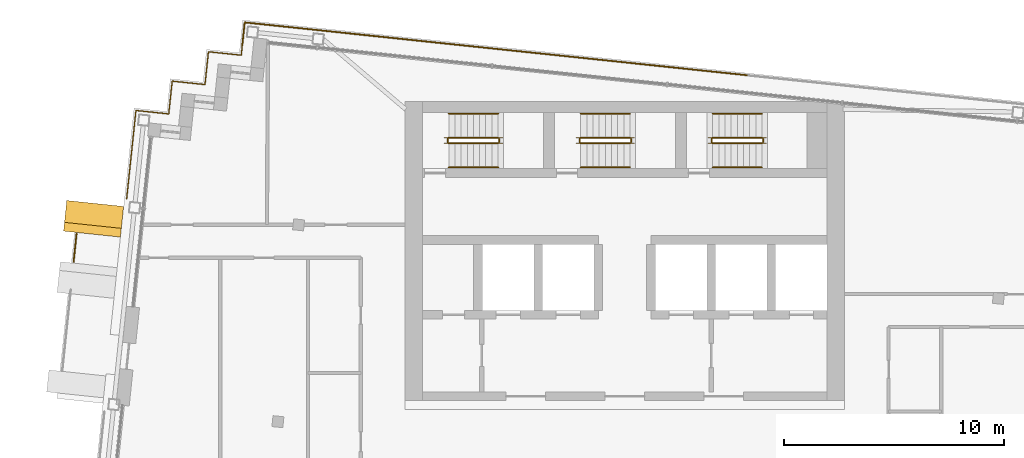
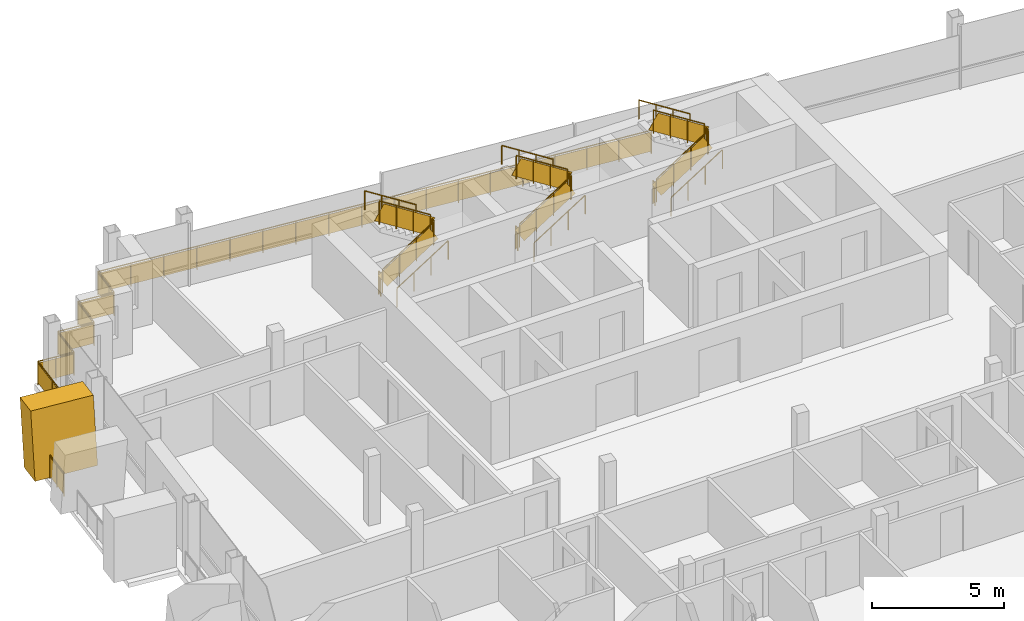
# One storey, part 15 of 16: 22 railings, 1 shading device.
"""IFC4 building model written with IfcOpenShell, lengths in metres."""

from ifc_helpers import new_model, si_unit, direction, frame, origin, origin_2d, place, context, subcontext, project, spatial, polyline, rectangle, circle, outline, extrude, material, layer, layer_set, type_object, element, save


model = new_model("IFC4")

# Units and contexts
model_context = context("Model", 3, precision=1e-05, world=origin(), true_north=direction((0.0, 1.0)))
body_context = subcontext(model_context, "Body", "Model", "MODEL_VIEW")
ifc_project = project(units=[si_unit("LENGTHUNIT", "METRE"), si_unit("AREAUNIT", "SQUARE_METRE"), si_unit("VOLUMEUNIT", "CUBIC_METRE"), si_unit("PLANEANGLEUNIT", "RADIAN"), si_unit("MASSUNIT", "GRAM", prefix="KILO")], contexts=[model_context])

# Site, building, storey
site_placement = place(None, origin())
site = spatial("IfcSite", under=ifc_project, at=site_placement, CompositionType="ELEMENT")
building_placement = place(site_placement, origin())
building = spatial("IfcBuilding", under=site, at=building_placement, Name="Vidyagriha Tower", CompositionType="ELEMENT")
storey_placement = place(building_placement, frame((0.0, 0.0, 275.5)))
storey = spatial("IfcBuildingStorey", under=building, at=storey_placement, Name="L72", CompositionType="ELEMENT", Elevation=275.5)

# Railing
ifc_material_1 = material(Name="Steel ASTM A500 Grade C black painted", Category="steel")
railing_type_1 = type_object("IfcRailingType", Name="Balcony guard 1100", PredefinedType="BALUSTRADE", material=ifc_material_1)
railing_1_placement = place(storey_placement, frame((-24.927978515625, 13.9931640625, 0.0)))
element("IfcRailing", 1, at=railing_1_placement, inside=storey, type_object=railing_type_1, Name="Balcony guard L72 R14.1-1", PredefinedType="BALUSTRADE", context=body_context, shape_type="SweptSolid", body=[
    extrude(circle(Radius=0.02490234375, at=origin_2d()), frame((0.0, 0.0, 1.0751953125), z_axis=(-0.104596807649, -0.99451470971, 0.0), x_axis=(0.99451470971, -0.104596807649, 0.0)), (0.0, 0.0, 1.0), 1.300048828125),
    extrude(circle(Radius=0.02001953125, at=origin_2d()), origin(), (0.0, 0.0, 1.0), 1.050048828125),
    extrude(circle(Radius=0.02001953125, at=origin_2d()), frame((-0.06787109375, -0.646484375, 0.0)), (0.0, 0.0, 1.0), 1.050048828125),
    extrude(circle(Radius=0.02001953125, at=origin_2d()), frame((-0.135986328125, -1.29296875, 0.0)), (0.0, 0.0, 1.0), 1.050048828125),
    extrude(rectangle(XDim=0.010009765625, YDim=0.900146484375, at=origin_2d()), frame((0.0, 0.0, 0.550048828125), z_axis=(-0.104596807649, -0.99451470971, 0.0), x_axis=(0.99451470971, -0.104596807649, 0.0)), (0.0, 0.0, 1.0), 1.300048828125),
])

# Shading device
ifc_material_2 = material(Name="Precast concrete C40/50 with buff brick facing", Category="concrete")
ifc_layer = layer(ifc_material_2, 1.0)
ifc_layer_set = layer_set([ifc_layer], Name="Precast concrete C40/50 with buff brick facing")
shading_device_type = type_object("IfcShadingDeviceType", Name="Brick-faced blade fin arm leaning 8 degrees", PredefinedType="USERDEFINED", material=ifc_layer_set)
shading_device_placement = place(storey_placement, frame((-24.080322265625, 15.362060546875, 0.0), z_axis=(0.0, 0.0, 1.0), x_axis=(-0.104457839748, -0.994529315664, 0.0)))
element("IfcShadingDevice", 2, at=shading_device_placement, inside=storey, type_object=shading_device_type, Name="Leaning blade fin L72 R14.330b", ObjectType="BLADE FIN", PredefinedType="USERDEFINED", context=body_context, shape_type="SweptSolid", body=[
    extrude(outline(polyline([(0.39990234375, 0.0), (1.39990234375, 0.0), (1.0, 3.0), (0.0, 3.0), (0.39990234375, 0.0)])), frame((0.0, 1.300048828125, 0.0), z_axis=(0.0, -1.0, 0.0), x_axis=(1.0, 0.0, 0.0)), (0.0, 0.0, 1.0), 2.60009765625),
])

# Railings
ifc_material_3 = material(Name="Steel ASTM A500 Grade C black painted", Category="steel")
railing_type_2 = type_object("IfcRailingType", Name="Gallery guard 1100", PredefinedType="GUARDRAIL", material=ifc_material_3)
railing_2_placement = place(storey_placement, frame((-22.650390625, 15.57373046875, 0.0)))
element("IfcRailing", 3, at=railing_2_placement, inside=storey, type_object=railing_type_2, Name="Gallery guard L72 4", PredefinedType="GUARDRAIL", context=body_context, shape_type="SweptSolid", body=[
    extrude(circle(Radius=0.02490234375, at=origin_2d()), frame((0.0, 0.0, 1.0751953125), z_axis=(0.104546370699, 0.994520013058, 0.0), x_axis=(-0.994520013058, 0.104546370699, 0.0)), (0.0, 0.0, 1.0), 4.0400390625),
    extrude(circle(Radius=0.02490234375, at=origin_2d()), frame((0.42236328125, 4.017822265625, 1.0751953125), z_axis=(0.994526834051, -0.104481464157, 0.0), x_axis=(0.104481464157, 0.994526834051, 0.0)), (0.0, 0.0, 1.0), 1.500244140625),
    extrude(circle(Radius=0.02490234375, at=origin_2d()), frame((1.914306640625, 3.861083984375, 1.0751953125), z_axis=(0.104498377516, 0.994525057048, 0.0), x_axis=(-0.994525057048, 0.104498377516, 0.0)), (0.0, 0.0, 1.0), 1.5),
    extrude(circle(Radius=0.02490234375, at=origin_2d()), frame((2.071044921875, 5.352783203125, 1.0751953125), z_axis=(0.994525057048, -0.104498377516, 0.0), x_axis=(0.104498377516, 0.994525057048, 0.0)), (0.0, 0.0, 1.0), 1.5),
    extrude(circle(Radius=0.02490234375, at=origin_2d()), frame((3.562744140625, 5.196044921875, 1.0751953125), z_axis=(0.104498377516, 0.994525057048, 0.0), x_axis=(-0.994525057048, 0.104498377516, 0.0)), (0.0, 0.0, 1.0), 1.5),
    extrude(circle(Radius=0.02490234375, at=origin_2d()), frame((3.719482421875, 6.687744140625, 1.0751953125), z_axis=(0.994525057048, -0.104498377516, 0.0), x_axis=(0.104498377516, 0.994525057048, 0.0)), (0.0, 0.0, 1.0), 1.5),
    extrude(circle(Radius=0.02490234375, at=origin_2d()), frame((5.211181640625, 6.531005859375, 1.0751953125), z_axis=(0.10449150849, 0.994525778778, 0.0), x_axis=(-0.994525778778, 0.10449150849, 0.0)), (0.0, 0.0, 1.0), 0.460205078125),
    extrude(circle(Radius=0.02001953125, at=origin_2d()), origin(), (0.0, 0.0, 1.0), 1.050048828125),
    extrude(circle(Radius=0.02001953125, at=origin_2d()), frame((0.140869140625, 1.33935546875, 0.0)), (0.0, 0.0, 1.0), 1.050048828125),
    extrude(circle(Radius=0.02001953125, at=origin_2d()), frame((0.281494140625, 2.678466796875, 0.0)), (0.0, 0.0, 1.0), 1.050048828125),
    extrude(circle(Radius=0.02001953125, at=origin_2d()), frame((0.42236328125, 4.017822265625, 0.0)), (0.0, 0.0, 1.0), 1.050048828125),
    extrude(circle(Radius=0.02001953125, at=origin_2d()), frame((1.16845703125, 3.939453125, 0.0)), (0.0, 0.0, 1.0), 1.050048828125),
    extrude(circle(Radius=0.02001953125, at=origin_2d()), frame((1.914306640625, 3.861083984375, 0.0)), (0.0, 0.0, 1.0), 1.050048828125),
    extrude(circle(Radius=0.02001953125, at=origin_2d()), frame((2.071044921875, 5.352783203125, 0.0)), (0.0, 0.0, 1.0), 1.050048828125),
    extrude(circle(Radius=0.02001953125, at=origin_2d()), frame((3.562744140625, 5.196044921875, 0.0)), (0.0, 0.0, 1.0), 1.050048828125),
    extrude(circle(Radius=0.02001953125, at=origin_2d()), frame((3.719482421875, 6.687744140625, 0.0)), (0.0, 0.0, 1.0), 1.050048828125),
    extrude(circle(Radius=0.02001953125, at=origin_2d()), frame((5.211181640625, 6.531005859375, 0.0)), (0.0, 0.0, 1.0), 1.050048828125),
    extrude(circle(Radius=0.02001953125, at=origin_2d()), frame((5.25927734375, 6.98876953125, 0.0)), (0.0, 0.0, 1.0), 1.050048828125),
    extrude(rectangle(XDim=0.010009765625, YDim=0.900146484375, at=origin_2d()), frame((0.0, 0.0, 0.550048828125), z_axis=(0.104546370699, 0.994520013058, 0.0), x_axis=(-0.994520013058, 0.104546370699, 0.0)), (0.0, 0.0, 1.0), 4.0400390625),
    extrude(rectangle(XDim=0.010009765625, YDim=0.900146484375, at=origin_2d()), frame((0.42236328125, 4.017822265625, 0.550048828125), z_axis=(0.994526834051, -0.104481464157, 0.0), x_axis=(0.104481464157, 0.994526834051, 0.0)), (0.0, 0.0, 1.0), 1.500244140625),
    extrude(rectangle(XDim=0.010009765625, YDim=0.900146484375, at=origin_2d()), frame((1.914306640625, 3.861083984375, 0.550048828125), z_axis=(0.104498377516, 0.994525057048, 0.0), x_axis=(-0.994525057048, 0.104498377516, 0.0)), (0.0, 0.0, 1.0), 1.5),
    extrude(rectangle(XDim=0.010009765625, YDim=0.900146484375, at=origin_2d()), frame((2.071044921875, 5.352783203125, 0.550048828125), z_axis=(0.994525057048, -0.104498377516, 0.0), x_axis=(0.104498377516, 0.994525057048, 0.0)), (0.0, 0.0, 1.0), 1.5),
    extrude(rectangle(XDim=0.010009765625, YDim=0.900146484375, at=origin_2d()), frame((3.562744140625, 5.196044921875, 0.550048828125), z_axis=(0.104498377516, 0.994525057048, 0.0), x_axis=(-0.994525057048, 0.104498377516, 0.0)), (0.0, 0.0, 1.0), 1.5),
    extrude(rectangle(XDim=0.010009765625, YDim=0.900146484375, at=origin_2d()), frame((3.719482421875, 6.687744140625, 0.550048828125), z_axis=(0.994525057048, -0.104498377516, 0.0), x_axis=(0.104498377516, 0.994525057048, 0.0)), (0.0, 0.0, 1.0), 1.5),
    extrude(rectangle(XDim=0.010009765625, YDim=0.900146484375, at=origin_2d()), frame((5.211181640625, 6.531005859375, 0.550048828125), z_axis=(0.10449150849, 0.994525778778, 0.0), x_axis=(-0.994525778778, 0.10449150849, 0.0)), (0.0, 0.0, 1.0), 0.460205078125),
])
railing_3_placement = place(storey_placement, frame((-17.39111328125, 22.5625, 0.0)))
element("IfcRailing", 4, at=railing_3_placement, inside=storey, type_object=railing_type_2, Name="Gallery guard L72 5", PredefinedType="GUARDRAIL", context=body_context, shape_type="SweptSolid", body=[
    extrude(circle(Radius=0.02490234375, at=origin_2d()), frame((0.0, 0.0, 1.0751953125), z_axis=(0.104733680268, 0.994500304785, 0.0), x_axis=(-0.994500304785, 0.104733680268, 0.0)), (0.0, 0.0, 1.0), 1.03955078125),
    extrude(circle(Radius=0.02490234375, at=origin_2d()), frame((0.10888671875, 1.033935546875, 1.0751953125), z_axis=(0.994520943118, -0.104537522925, 0.0), x_axis=(0.104537522925, 0.994520943118, 0.0)), (0.0, 0.0, 1.0), 10.960205078125),
    extrude(circle(Radius=0.02001953125, at=origin_2d()), origin(), (0.0, 0.0, 1.0), 1.050048828125),
    extrude(circle(Radius=0.02001953125, at=origin_2d()), frame((0.10888671875, 1.033935546875, 0.0)), (0.0, 0.0, 1.0), 1.050048828125),
    extrude(circle(Radius=0.02001953125, at=origin_2d()), frame((1.471435546875, 0.890625, 0.0)), (0.0, 0.0, 1.0), 1.050048828125),
    extrude(circle(Radius=0.02001953125, at=origin_2d()), frame((2.833984375, 0.74755859375, 0.0)), (0.0, 0.0, 1.0), 1.050048828125),
    extrude(circle(Radius=0.02001953125, at=origin_2d()), frame((4.196533203125, 0.604248046875, 0.0)), (0.0, 0.0, 1.0), 1.050048828125),
    extrude(circle(Radius=0.02001953125, at=origin_2d()), frame((5.55908203125, 0.4609375, 0.0)), (0.0, 0.0, 1.0), 1.050048828125),
    extrude(circle(Radius=0.02001953125, at=origin_2d()), frame((6.92138671875, 0.31787109375, 0.0)), (0.0, 0.0, 1.0), 1.050048828125),
    extrude(circle(Radius=0.02001953125, at=origin_2d()), frame((8.283935546875, 0.174560546875, 0.0)), (0.0, 0.0, 1.0), 1.050048828125),
    extrude(circle(Radius=0.02001953125, at=origin_2d()), frame((9.646484375, 0.031494140625, 0.0)), (0.0, 0.0, 1.0), 1.050048828125),
    extrude(circle(Radius=0.02001953125, at=origin_2d()), frame((11.009033203125, -0.11181640625, 0.0)), (0.0, 0.0, 1.0), 1.050048828125),
    extrude(rectangle(XDim=0.010009765625, YDim=0.900146484375, at=origin_2d()), frame((0.0, 0.0, 0.550048828125), z_axis=(0.104733680268, 0.994500304785, 0.0), x_axis=(-0.994500304785, 0.104733680268, 0.0)), (0.0, 0.0, 1.0), 1.03955078125),
    extrude(rectangle(XDim=0.010009765625, YDim=0.900146484375, at=origin_2d()), frame((0.10888671875, 1.033935546875, 0.550048828125), z_axis=(0.994520943118, -0.104537522925, 0.0), x_axis=(0.104537522925, 0.994520943118, 0.0)), (0.0, 0.0, 1.0), 10.960205078125),
])
railing_4_placement = place(storey_placement, frame((-6.382080078125, 22.45068359375, 0.0)))
element("IfcRailing", 5, at=railing_4_placement, inside=storey, type_object=railing_type_2, Name="Gallery guard L72 6", PredefinedType="GUARDRAIL", context=body_context, shape_type="SweptSolid", body=[
    extrude(circle(Radius=0.02490234375, at=origin_2d()), frame((0.0, 0.0, 1.0751953125), z_axis=(0.994523609071, -0.104512157188, 0.0), x_axis=(0.104512157188, 0.994523609071, 0.0)), (0.0, 0.0, 1.0), 12.0),
    extrude(circle(Radius=0.02001953125, at=origin_2d()), origin(), (0.0, 0.0, 1.0), 1.050048828125),
    extrude(circle(Radius=0.02001953125, at=origin_2d()), frame((1.325927734375, -0.139404296875, 0.0)), (0.0, 0.0, 1.0), 1.050048828125),
    extrude(circle(Radius=0.02001953125, at=origin_2d()), frame((2.652099609375, -0.27880859375, 0.0)), (0.0, 0.0, 1.0), 1.050048828125),
    extrude(circle(Radius=0.02001953125, at=origin_2d()), frame((3.97802734375, -0.41796875, 0.0)), (0.0, 0.0, 1.0), 1.050048828125),
    extrude(circle(Radius=0.02001953125, at=origin_2d()), frame((5.30419921875, -0.557373046875, 0.0)), (0.0, 0.0, 1.0), 1.050048828125),
    extrude(circle(Radius=0.02001953125, at=origin_2d()), frame((6.630126953125, -0.69677734375, 0.0)), (0.0, 0.0, 1.0), 1.050048828125),
    extrude(circle(Radius=0.02001953125, at=origin_2d()), frame((7.956298828125, -0.836181640625, 0.0)), (0.0, 0.0, 1.0), 1.050048828125),
    extrude(circle(Radius=0.02001953125, at=origin_2d()), frame((9.2822265625, -0.975341796875, 0.0)), (0.0, 0.0, 1.0), 1.050048828125),
    extrude(circle(Radius=0.02001953125, at=origin_2d()), frame((10.6083984375, -1.11474609375, 0.0)), (0.0, 0.0, 1.0), 1.050048828125),
    extrude(circle(Radius=0.02001953125, at=origin_2d()), frame((11.934326171875, -1.254150390625, 0.0)), (0.0, 0.0, 1.0), 1.050048828125),
    extrude(rectangle(XDim=0.010009765625, YDim=0.900146484375, at=origin_2d()), frame((0.0, 0.0, 0.550048828125), z_axis=(0.994523609071, -0.104512157188, 0.0), x_axis=(0.104512157188, 0.994523609071, 0.0)), (0.0, 0.0, 1.0), 12.0),
])
ifc_material_4 = material(Name="Steel ASTM A500 Grade C", Category="steel")
railing_type_3 = type_object("IfcRailingType", Name="Stair guard 1100 mm, steel balustrade", PredefinedType="GUARDRAIL", material=ifc_material_4)
railing_5_placement = place(storey_placement, frame((-8.0, 18.10009765625, 0.177734375)))
element("IfcRailing", 6, at=railing_5_placement, inside=storey, type_object=railing_type_3, Name="L72 ST1 stair guard 1", PredefinedType="GUARDRAIL", context=body_context, shape_type="SweptSolid", body=[
    extrude(circle(Radius=0.02392578125, at=origin_2d()), frame((0.0, 0.0, 1.076171875), z_axis=(0.84418770128, 0.0, 0.536047689118), x_axis=(0.0, 1.0, 0.0)), (0.0, 0.0, 1.0), 2.6533203125),
    extrude(circle(Radius=0.02099609375, at=origin_2d()), origin(), (0.0, 0.0, 1.0), 1.052001953125),
    extrude(circle(Radius=0.02099609375, at=origin_2d()), frame((0.74658203125, 0.0, 0.47412109375)), (0.0, 0.0, 1.0), 1.052001953125),
    extrude(circle(Radius=0.02099609375, at=origin_2d()), frame((1.493408203125, 0.0, 0.9482421875)), (0.0, 0.0, 1.0), 1.052001953125),
    extrude(circle(Radius=0.02099609375, at=origin_2d()), frame((2.239990234375, 0.0, 1.42236328125)), (0.0, 0.0, 1.0), 1.052001953125),
    extrude(rectangle(XDim=0.010009765625, YDim=0.761474609375, at=origin_2d()), frame((0.0, 0.0, 0.551025390625), z_axis=(0.84418770128, 0.0, 0.536047689118), x_axis=(0.0, 1.0, 0.0)), (0.0, 0.0, 1.0), 2.6533203125),
])
railing_6_placement = place(storey_placement, frame((-5.7099609375, 18.14990234375, 1.60009765625)))
element("IfcRailing", 7, at=railing_6_placement, inside=storey, type_object=railing_type_3, Name="L72 ST1 stair guard 2", PredefinedType="GUARDRAIL", context=body_context, shape_type="SweptSolid", body=[
    extrude(circle(Radius=0.02392578125, at=origin_2d()), frame((0.0, 0.0, 1.076171875), z_axis=(0.0, 1.0, 0.0), x_axis=(-1.0, 0.0, 0.0)), (0.0, 0.0, 1.0), 0.150146484375),
    extrude(circle(Radius=0.02099609375, at=origin_2d()), origin(), (0.0, 0.0, 1.0), 1.052001953125),
    extrude(circle(Radius=0.02099609375, at=origin_2d()), frame((0.0, 0.150146484375, 0.0)), (0.0, 0.0, 1.0), 1.052001953125),
    extrude(rectangle(XDim=0.010009765625, YDim=0.902099609375, at=origin_2d()), frame((0.0, 0.0, 0.551025390625), z_axis=(0.0, 1.0, 0.0), x_axis=(-1.0, 0.0, 0.0)), (0.0, 0.0, 1.0), 0.150146484375),
])
railing_7_placement = place(storey_placement, frame((-5.760009765625, 18.35009765625, 1.77783203125)))
element("IfcRailing", 8, at=railing_7_placement, inside=storey, type_object=railing_type_3, Name="L72 ST1 stair guard 3", PredefinedType="GUARDRAIL", context=body_context, shape_type="SweptSolid", body=[
    extrude(circle(Radius=0.02392578125, at=origin_2d()), frame((0.0, 0.0, 1.076171875), z_axis=(-0.8442293374, 0.0, 0.53598211339), x_axis=(0.0, -1.0, 0.0)), (0.0, 0.0, 1.0), 2.6533203125),
    extrude(circle(Radius=0.02099609375, at=origin_2d()), origin(), (0.0, 0.0, 1.0), 1.052001953125),
    extrude(circle(Radius=0.02099609375, at=origin_2d()), frame((-0.74658203125, 0.0, 0.47412109375)), (0.0, 0.0, 1.0), 1.052001953125),
    extrude(circle(Radius=0.02099609375, at=origin_2d()), frame((-1.493408203125, 0.0, 0.947998046875)), (0.0, 0.0, 1.0), 1.052001953125),
    extrude(circle(Radius=0.02099609375, at=origin_2d()), frame((-2.239990234375, 0.0, 1.422119140625)), (0.0, 0.0, 1.0), 1.052001953125),
    extrude(rectangle(XDim=0.010009765625, YDim=0.761474609375, at=origin_2d()), frame((0.0, 0.0, 0.551025390625), z_axis=(-0.8442293374, 0.0, 0.53598211339), x_axis=(0.0, -1.0, 0.0)), (0.0, 0.0, 1.0), 2.6533203125),
])
railing_8_placement = place(storey_placement, frame((-8.050048828125, 18.14990234375, 0.0)))
element("IfcRailing", 9, at=railing_8_placement, inside=storey, type_object=railing_type_3, Name="L72 ST1 stair guard 4", PredefinedType="GUARDRAIL", context=body_context, shape_type="SweptSolid", body=[
    extrude(circle(Radius=0.02392578125, at=origin_2d()), frame((0.0, 0.0, 1.076171875), z_axis=(0.0, 1.0, 0.0), x_axis=(-1.0, 0.0, 0.0)), (0.0, 0.0, 1.0), 0.150146484375),
    extrude(circle(Radius=0.02099609375, at=origin_2d()), origin(), (0.0, 0.0, 1.0), 1.052001953125),
    extrude(circle(Radius=0.02099609375, at=origin_2d()), frame((0.0, 0.150146484375, 0.0)), (0.0, 0.0, 1.0), 1.052001953125),
    extrude(rectangle(XDim=0.010009765625, YDim=0.902099609375, at=origin_2d()), frame((0.0, 0.0, 0.551025390625), z_axis=(0.0, 1.0, 0.0), x_axis=(-1.0, 0.0, 0.0)), (0.0, 0.0, 1.0), 0.150146484375),
])
railing_9_placement = place(storey_placement, frame((-2.0, 18.10009765625, 0.177734375)))
element("IfcRailing", 10, at=railing_9_placement, inside=storey, type_object=railing_type_3, Name="L72 ST2 stair guard 1", PredefinedType="GUARDRAIL", context=body_context, shape_type="SweptSolid", body=[
    extrude(circle(Radius=0.02392578125, at=origin_2d()), frame((0.0, 0.0, 1.076171875), z_axis=(0.84418770128, 0.0, 0.536047689118), x_axis=(0.0, 1.0, 0.0)), (0.0, 0.0, 1.0), 2.6533203125),
    extrude(circle(Radius=0.02099609375, at=origin_2d()), origin(), (0.0, 0.0, 1.0), 1.052001953125),
    extrude(circle(Radius=0.02099609375, at=origin_2d()), frame((0.74658203125, 0.0, 0.47412109375)), (0.0, 0.0, 1.0), 1.052001953125),
    extrude(circle(Radius=0.02099609375, at=origin_2d()), frame((1.493408203125, 0.0, 0.9482421875)), (0.0, 0.0, 1.0), 1.052001953125),
    extrude(circle(Radius=0.02099609375, at=origin_2d()), frame((2.239990234375, 0.0, 1.42236328125)), (0.0, 0.0, 1.0), 1.052001953125),
    extrude(rectangle(XDim=0.010009765625, YDim=0.761474609375, at=origin_2d()), frame((0.0, 0.0, 0.551025390625), z_axis=(0.84418770128, 0.0, 0.536047689118), x_axis=(0.0, 1.0, 0.0)), (0.0, 0.0, 1.0), 2.6533203125),
])
railing_10_placement = place(storey_placement, frame((0.2900390625, 18.14990234375, 1.60009765625)))
element("IfcRailing", 11, at=railing_10_placement, inside=storey, type_object=railing_type_3, Name="L72 ST2 stair guard 2", PredefinedType="GUARDRAIL", context=body_context, shape_type="SweptSolid", body=[
    extrude(circle(Radius=0.02392578125, at=origin_2d()), frame((0.0, 0.0, 1.076171875), z_axis=(0.0, 1.0, 0.0), x_axis=(-1.0, 0.0, 0.0)), (0.0, 0.0, 1.0), 0.150146484375),
    extrude(circle(Radius=0.02099609375, at=origin_2d()), origin(), (0.0, 0.0, 1.0), 1.052001953125),
    extrude(circle(Radius=0.02099609375, at=origin_2d()), frame((0.0, 0.150146484375, 0.0)), (0.0, 0.0, 1.0), 1.052001953125),
    extrude(rectangle(XDim=0.010009765625, YDim=0.902099609375, at=origin_2d()), frame((0.0, 0.0, 0.551025390625), z_axis=(0.0, 1.0, 0.0), x_axis=(-1.0, 0.0, 0.0)), (0.0, 0.0, 1.0), 0.150146484375),
])
railing_11_placement = place(storey_placement, frame((0.239990234375, 18.35009765625, 1.77783203125)))
element("IfcRailing", 12, at=railing_11_placement, inside=storey, type_object=railing_type_3, Name="L72 ST2 stair guard 3", PredefinedType="GUARDRAIL", context=body_context, shape_type="SweptSolid", body=[
    extrude(circle(Radius=0.02392578125, at=origin_2d()), frame((0.0, 0.0, 1.076171875), z_axis=(-0.8442293374, 0.0, 0.53598211339), x_axis=(0.0, -1.0, 0.0)), (0.0, 0.0, 1.0), 2.6533203125),
    extrude(circle(Radius=0.02099609375, at=origin_2d()), origin(), (0.0, 0.0, 1.0), 1.052001953125),
    extrude(circle(Radius=0.02099609375, at=origin_2d()), frame((-0.74658203125, 0.0, 0.47412109375)), (0.0, 0.0, 1.0), 1.052001953125),
    extrude(circle(Radius=0.02099609375, at=origin_2d()), frame((-1.493408203125, 0.0, 0.947998046875)), (0.0, 0.0, 1.0), 1.052001953125),
    extrude(circle(Radius=0.02099609375, at=origin_2d()), frame((-2.239990234375, 0.0, 1.422119140625)), (0.0, 0.0, 1.0), 1.052001953125),
    extrude(rectangle(XDim=0.010009765625, YDim=0.761474609375, at=origin_2d()), frame((0.0, 0.0, 0.551025390625), z_axis=(-0.8442293374, 0.0, 0.53598211339), x_axis=(0.0, -1.0, 0.0)), (0.0, 0.0, 1.0), 2.6533203125),
])
railing_12_placement = place(storey_placement, frame((-2.050048828125, 18.14990234375, 0.0)))
element("IfcRailing", 13, at=railing_12_placement, inside=storey, type_object=railing_type_3, Name="L72 ST2 stair guard 4", PredefinedType="GUARDRAIL", context=body_context, shape_type="SweptSolid", body=[
    extrude(circle(Radius=0.02392578125, at=origin_2d()), frame((0.0, 0.0, 1.076171875), z_axis=(0.0, 1.0, 0.0), x_axis=(-1.0, 0.0, 0.0)), (0.0, 0.0, 1.0), 0.150146484375),
    extrude(circle(Radius=0.02099609375, at=origin_2d()), origin(), (0.0, 0.0, 1.0), 1.052001953125),
    extrude(circle(Radius=0.02099609375, at=origin_2d()), frame((0.0, 0.150146484375, 0.0)), (0.0, 0.0, 1.0), 1.052001953125),
    extrude(rectangle(XDim=0.010009765625, YDim=0.902099609375, at=origin_2d()), frame((0.0, 0.0, 0.551025390625), z_axis=(0.0, 1.0, 0.0), x_axis=(-1.0, 0.0, 0.0)), (0.0, 0.0, 1.0), 0.150146484375),
])
railing_13_placement = place(storey_placement, frame((4.0, 18.10009765625, 0.177734375)))
element("IfcRailing", 14, at=railing_13_placement, inside=storey, type_object=railing_type_3, Name="L72 ST3 stair guard 1", PredefinedType="GUARDRAIL", context=body_context, shape_type="SweptSolid", body=[
    extrude(circle(Radius=0.02392578125, at=origin_2d()), frame((0.0, 0.0, 1.076171875), z_axis=(0.84418770128, 0.0, 0.536047689118), x_axis=(0.0, 1.0, 0.0)), (0.0, 0.0, 1.0), 2.6533203125),
    extrude(circle(Radius=0.02099609375, at=origin_2d()), origin(), (0.0, 0.0, 1.0), 1.052001953125),
    extrude(circle(Radius=0.02099609375, at=origin_2d()), frame((0.74658203125, 0.0, 0.47412109375)), (0.0, 0.0, 1.0), 1.052001953125),
    extrude(circle(Radius=0.02099609375, at=origin_2d()), frame((1.493408203125, 0.0, 0.9482421875)), (0.0, 0.0, 1.0), 1.052001953125),
    extrude(circle(Radius=0.02099609375, at=origin_2d()), frame((2.239990234375, 0.0, 1.42236328125)), (0.0, 0.0, 1.0), 1.052001953125),
    extrude(rectangle(XDim=0.010009765625, YDim=0.761474609375, at=origin_2d()), frame((0.0, 0.0, 0.551025390625), z_axis=(0.84418770128, 0.0, 0.536047689118), x_axis=(0.0, 1.0, 0.0)), (0.0, 0.0, 1.0), 2.6533203125),
])
railing_14_placement = place(storey_placement, frame((6.2900390625, 18.14990234375, 1.60009765625)))
element("IfcRailing", 15, at=railing_14_placement, inside=storey, type_object=railing_type_3, Name="L72 ST3 stair guard 2", PredefinedType="GUARDRAIL", context=body_context, shape_type="SweptSolid", body=[
    extrude(circle(Radius=0.02392578125, at=origin_2d()), frame((0.0, 0.0, 1.076171875), z_axis=(0.0, 1.0, 0.0), x_axis=(-1.0, 0.0, 0.0)), (0.0, 0.0, 1.0), 0.150146484375),
    extrude(circle(Radius=0.02099609375, at=origin_2d()), origin(), (0.0, 0.0, 1.0), 1.052001953125),
    extrude(circle(Radius=0.02099609375, at=origin_2d()), frame((0.0, 0.150146484375, 0.0)), (0.0, 0.0, 1.0), 1.052001953125),
    extrude(rectangle(XDim=0.010009765625, YDim=0.902099609375, at=origin_2d()), frame((0.0, 0.0, 0.551025390625), z_axis=(0.0, 1.0, 0.0), x_axis=(-1.0, 0.0, 0.0)), (0.0, 0.0, 1.0), 0.150146484375),
])
railing_15_placement = place(storey_placement, frame((6.239990234375, 18.35009765625, 1.77783203125)))
element("IfcRailing", 16, at=railing_15_placement, inside=storey, type_object=railing_type_3, Name="L72 ST3 stair guard 3", PredefinedType="GUARDRAIL", context=body_context, shape_type="SweptSolid", body=[
    extrude(circle(Radius=0.02392578125, at=origin_2d()), frame((0.0, 0.0, 1.076171875), z_axis=(-0.8442293374, 0.0, 0.53598211339), x_axis=(0.0, -1.0, 0.0)), (0.0, 0.0, 1.0), 2.6533203125),
    extrude(circle(Radius=0.02099609375, at=origin_2d()), origin(), (0.0, 0.0, 1.0), 1.052001953125),
    extrude(circle(Radius=0.02099609375, at=origin_2d()), frame((-0.74658203125, 0.0, 0.47412109375)), (0.0, 0.0, 1.0), 1.052001953125),
    extrude(circle(Radius=0.02099609375, at=origin_2d()), frame((-1.493408203125, 0.0, 0.947998046875)), (0.0, 0.0, 1.0), 1.052001953125),
    extrude(circle(Radius=0.02099609375, at=origin_2d()), frame((-2.239990234375, 0.0, 1.422119140625)), (0.0, 0.0, 1.0), 1.052001953125),
    extrude(rectangle(XDim=0.010009765625, YDim=0.761474609375, at=origin_2d()), frame((0.0, 0.0, 0.551025390625), z_axis=(-0.8442293374, 0.0, 0.53598211339), x_axis=(0.0, -1.0, 0.0)), (0.0, 0.0, 1.0), 2.6533203125),
])
railing_16_placement = place(storey_placement, frame((3.949951171875, 18.14990234375, 0.0)))
element("IfcRailing", 17, at=railing_16_placement, inside=storey, type_object=railing_type_3, Name="L72 ST3 stair guard 4", PredefinedType="GUARDRAIL", context=body_context, shape_type="SweptSolid", body=[
    extrude(circle(Radius=0.02392578125, at=origin_2d()), frame((0.0, 0.0, 1.076171875), z_axis=(0.0, 1.0, 0.0), x_axis=(-1.0, 0.0, 0.0)), (0.0, 0.0, 1.0), 0.150146484375),
    extrude(circle(Radius=0.02099609375, at=origin_2d()), origin(), (0.0, 0.0, 1.0), 1.052001953125),
    extrude(circle(Radius=0.02099609375, at=origin_2d()), frame((0.0, 0.150146484375, 0.0)), (0.0, 0.0, 1.0), 1.052001953125),
    extrude(rectangle(XDim=0.010009765625, YDim=0.902099609375, at=origin_2d()), frame((0.0, 0.0, 0.551025390625), z_axis=(0.0, 1.0, 0.0), x_axis=(-1.0, 0.0, 0.0)), (0.0, 0.0, 1.0), 0.150146484375),
])
ifc_material_5 = material(Name="Steel ASTM A500 Grade C", Category="steel")
railing_type_4 = type_object("IfcRailingType", Name="Stair handrail 900 mm, steel", PredefinedType="HANDRAIL", material=ifc_material_5)
railing_17_placement = place(storey_placement, frame((-8.0, 17.0, 0.177734375)))
element("IfcRailing", 18, at=railing_17_placement, inside=storey, type_object=railing_type_4, Name="L72 ST1 stair handrail 1", PredefinedType="HANDRAIL", context=body_context, shape_type="SweptSolid", body=[
    extrude(circle(Radius=0.02392578125, at=origin_2d()), frame((0.0, 0.0, 0.8759765625), z_axis=(0.84418770128, 0.0, 0.536047689118), x_axis=(0.0, 1.0, 0.0)), (0.0, 0.0, 1.0), 2.6533203125),
    extrude(circle(Radius=0.02099609375, at=origin_2d()), origin(), (0.0, 0.0, 1.0), 0.851806640625),
    extrude(circle(Radius=0.02099609375, at=origin_2d()), frame((0.74658203125, 0.0, 0.47412109375)), (0.0, 0.0, 1.0), 0.851806640625),
    extrude(circle(Radius=0.02099609375, at=origin_2d()), frame((1.493408203125, 0.0, 0.9482421875)), (0.0, 0.0, 1.0), 0.851806640625),
    extrude(circle(Radius=0.02099609375, at=origin_2d()), frame((2.239990234375, 0.0, 1.42236328125)), (0.0, 0.0, 1.0), 0.851806640625),
])
railing_18_placement = place(storey_placement, frame((-5.760009765625, 19.449951171875, 1.77783203125)))
element("IfcRailing", 19, at=railing_18_placement, inside=storey, type_object=railing_type_4, Name="L72 ST1 stair handrail 2", PredefinedType="HANDRAIL", context=body_context, shape_type="SweptSolid", body=[
    extrude(circle(Radius=0.02392578125, at=origin_2d()), frame((0.0, 0.0, 0.8759765625), z_axis=(-0.8442293374, 0.0, 0.53598211339), x_axis=(0.0, -1.0, 0.0)), (0.0, 0.0, 1.0), 2.6533203125),
    extrude(circle(Radius=0.02099609375, at=origin_2d()), origin(), (0.0, 0.0, 1.0), 0.851806640625),
    extrude(circle(Radius=0.02099609375, at=origin_2d()), frame((-0.74658203125, 0.0, 0.47412109375)), (0.0, 0.0, 1.0), 0.851806640625),
    extrude(circle(Radius=0.02099609375, at=origin_2d()), frame((-1.493408203125, 0.0, 0.947998046875)), (0.0, 0.0, 1.0), 0.851806640625),
    extrude(circle(Radius=0.02099609375, at=origin_2d()), frame((-2.239990234375, 0.0, 1.422119140625)), (0.0, 0.0, 1.0), 0.851806640625),
])
railing_19_placement = place(storey_placement, frame((-2.0, 17.0, 0.177734375)))
element("IfcRailing", 20, at=railing_19_placement, inside=storey, type_object=railing_type_4, Name="L72 ST2 stair handrail 1", PredefinedType="HANDRAIL", context=body_context, shape_type="SweptSolid", body=[
    extrude(circle(Radius=0.02392578125, at=origin_2d()), frame((0.0, 0.0, 0.8759765625), z_axis=(0.84418770128, 0.0, 0.536047689118), x_axis=(0.0, 1.0, 0.0)), (0.0, 0.0, 1.0), 2.6533203125),
    extrude(circle(Radius=0.02099609375, at=origin_2d()), origin(), (0.0, 0.0, 1.0), 0.851806640625),
    extrude(circle(Radius=0.02099609375, at=origin_2d()), frame((0.74658203125, 0.0, 0.47412109375)), (0.0, 0.0, 1.0), 0.851806640625),
    extrude(circle(Radius=0.02099609375, at=origin_2d()), frame((1.493408203125, 0.0, 0.9482421875)), (0.0, 0.0, 1.0), 0.851806640625),
    extrude(circle(Radius=0.02099609375, at=origin_2d()), frame((2.239990234375, 0.0, 1.42236328125)), (0.0, 0.0, 1.0), 0.851806640625),
])
railing_20_placement = place(storey_placement, frame((0.239990234375, 19.449951171875, 1.77783203125)))
element("IfcRailing", 21, at=railing_20_placement, inside=storey, type_object=railing_type_4, Name="L72 ST2 stair handrail 2", PredefinedType="HANDRAIL", context=body_context, shape_type="SweptSolid", body=[
    extrude(circle(Radius=0.02392578125, at=origin_2d()), frame((0.0, 0.0, 0.8759765625), z_axis=(-0.8442293374, 0.0, 0.53598211339), x_axis=(0.0, -1.0, 0.0)), (0.0, 0.0, 1.0), 2.6533203125),
    extrude(circle(Radius=0.02099609375, at=origin_2d()), origin(), (0.0, 0.0, 1.0), 0.851806640625),
    extrude(circle(Radius=0.02099609375, at=origin_2d()), frame((-0.74658203125, 0.0, 0.47412109375)), (0.0, 0.0, 1.0), 0.851806640625),
    extrude(circle(Radius=0.02099609375, at=origin_2d()), frame((-1.493408203125, 0.0, 0.947998046875)), (0.0, 0.0, 1.0), 0.851806640625),
    extrude(circle(Radius=0.02099609375, at=origin_2d()), frame((-2.239990234375, 0.0, 1.422119140625)), (0.0, 0.0, 1.0), 0.851806640625),
])
railing_21_placement = place(storey_placement, frame((4.0, 17.0, 0.177734375)))
element("IfcRailing", 22, at=railing_21_placement, inside=storey, type_object=railing_type_4, Name="L72 ST3 stair handrail 1", PredefinedType="HANDRAIL", context=body_context, shape_type="SweptSolid", body=[
    extrude(circle(Radius=0.02392578125, at=origin_2d()), frame((0.0, 0.0, 0.8759765625), z_axis=(0.84418770128, 0.0, 0.536047689118), x_axis=(0.0, 1.0, 0.0)), (0.0, 0.0, 1.0), 2.6533203125),
    extrude(circle(Radius=0.02099609375, at=origin_2d()), origin(), (0.0, 0.0, 1.0), 0.851806640625),
    extrude(circle(Radius=0.02099609375, at=origin_2d()), frame((0.74658203125, 0.0, 0.47412109375)), (0.0, 0.0, 1.0), 0.851806640625),
    extrude(circle(Radius=0.02099609375, at=origin_2d()), frame((1.493408203125, 0.0, 0.9482421875)), (0.0, 0.0, 1.0), 0.851806640625),
    extrude(circle(Radius=0.02099609375, at=origin_2d()), frame((2.239990234375, 0.0, 1.42236328125)), (0.0, 0.0, 1.0), 0.851806640625),
])
railing_22_placement = place(storey_placement, frame((6.239990234375, 19.449951171875, 1.77783203125)))
element("IfcRailing", 23, at=railing_22_placement, inside=storey, type_object=railing_type_4, Name="L72 ST3 stair handrail 2", PredefinedType="HANDRAIL", context=body_context, shape_type="SweptSolid", body=[
    extrude(circle(Radius=0.02392578125, at=origin_2d()), frame((0.0, 0.0, 0.8759765625), z_axis=(-0.8442293374, 0.0, 0.53598211339), x_axis=(0.0, -1.0, 0.0)), (0.0, 0.0, 1.0), 2.6533203125),
    extrude(circle(Radius=0.02099609375, at=origin_2d()), origin(), (0.0, 0.0, 1.0), 0.851806640625),
    extrude(circle(Radius=0.02099609375, at=origin_2d()), frame((-0.74658203125, 0.0, 0.47412109375)), (0.0, 0.0, 1.0), 0.851806640625),
    extrude(circle(Radius=0.02099609375, at=origin_2d()), frame((-1.493408203125, 0.0, 0.947998046875)), (0.0, 0.0, 1.0), 0.851806640625),
    extrude(circle(Radius=0.02099609375, at=origin_2d()), frame((-2.239990234375, 0.0, 1.422119140625)), (0.0, 0.0, 1.0), 0.851806640625),
])

save(model, "model.ifc")
